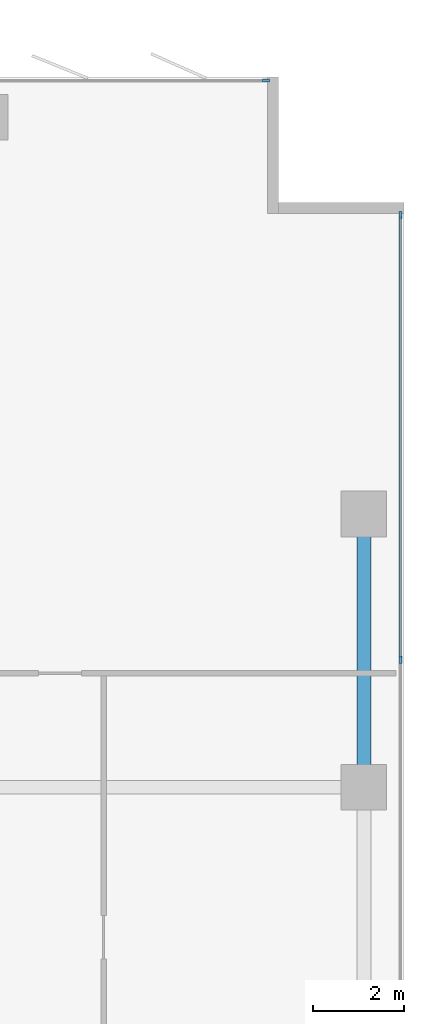
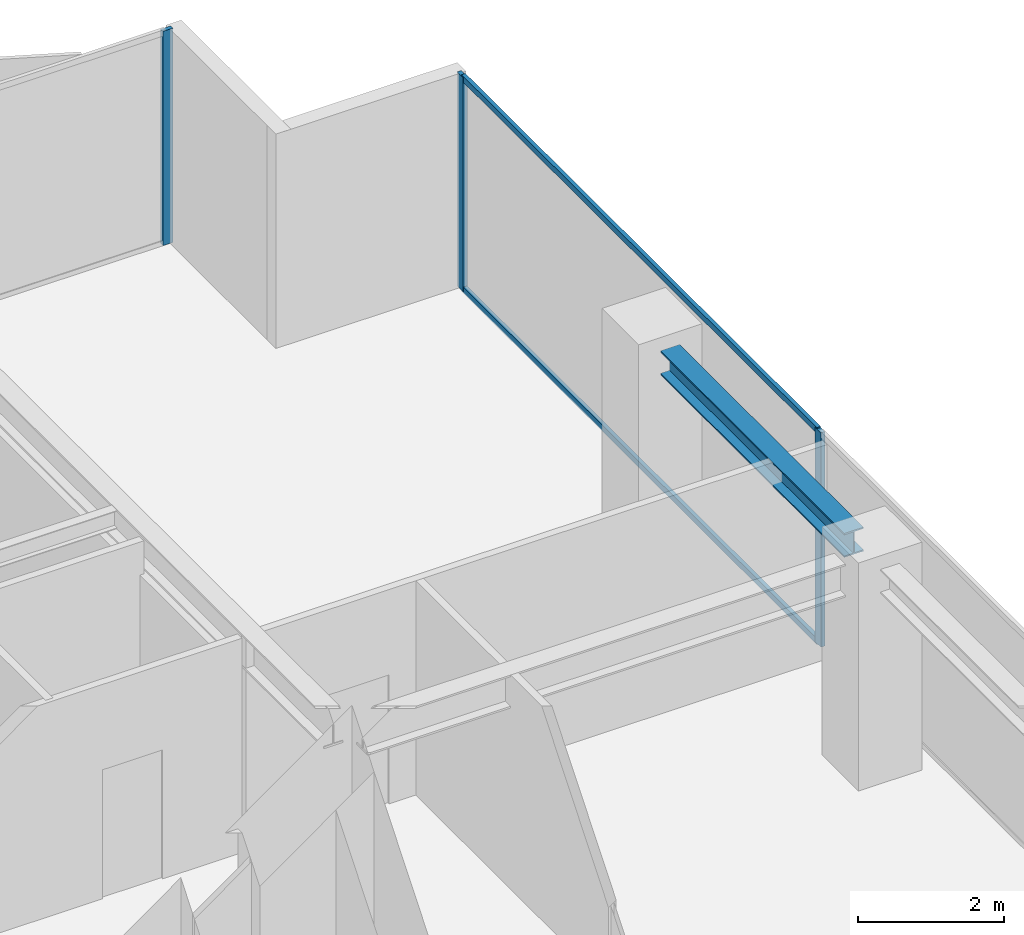
# One storey, part 13 of 22: 5 members, 1 beam, 2 elements without a shape of their own.
"""IFC4 building model written with IfcOpenShell, lengths in metres."""

from ifc_helpers import new_model, si_unit, direction, frame, origin, origin_2d, place, context, subcontext, project, spatial, rectangle, i_section, extrude, material, layer, layer_set, material_profile, profile_set, type_object, element, aggregate, save


model = new_model("IFC4")

# Units and contexts
model_context = context("Model", 3, precision=1e-05, world=origin(), true_north=direction((0.0, 1.0)))
body_context = subcontext(model_context, "Body", "Model", "MODEL_VIEW")
ifc_project = project(units=[si_unit("LENGTHUNIT", "METRE"), si_unit("AREAUNIT", "SQUARE_METRE"), si_unit("VOLUMEUNIT", "CUBIC_METRE"), si_unit("PLANEANGLEUNIT", "RADIAN"), si_unit("MASSUNIT", "GRAM", prefix="KILO")], contexts=[model_context])

# Site, building, storey
site_placement = place(None, origin())
site = spatial("IfcSite", under=ifc_project, at=site_placement, CompositionType="ELEMENT")
building_placement = place(site_placement, origin())
building = spatial("IfcBuilding", under=site, at=building_placement, Name="Putna Gate Headquarters", CompositionType="ELEMENT")
storey_placement = place(building_placement, frame((0.0, 0.0, 167.0)))
storey = spatial("IfcBuildingStorey", under=building, at=storey_placement, Name="L41", CompositionType="ELEMENT", Elevation=167.0)

# Beam
ifc_material_1 = material(Name="Steel S355J2", Category="steel")
ifc_material_profile_1 = material_profile(ifc_material_1, i_section(OverallWidth=0.300048828125, OverallDepth=0.39990234375, WebThickness=0.013427734375, FlangeThickness=0.02392578125, at=origin_2d()), Name="Steel S355J2")
ifc_profile_set_1 = profile_set([ifc_material_profile_1], Name="Steel S355J2")
beam_type = type_object("IfcBeamType", Name="BM-SPAN-Z3-HEB400", PredefinedType="SPANDREL", material=ifc_profile_set_1)
beam_placement = place(storey_placement, frame((73.320068359375, 33.488037109375, 3.3720703125), z_axis=(0.0, 1.0, 0.0), x_axis=(-1.0, 0.0, 0.0)))
element("IfcBeam", 1, at=beam_placement, inside=storey, type_object=beam_type, Name="L41 E End Spandrel 3", PredefinedType="SPANDREL", context=body_context, shape_type="SweptSolid", body=[
    extrude(i_section(OverallWidth=0.300048828125, OverallDepth=0.39990234375, WebThickness=0.013427734375, FlangeThickness=0.02392578125, at=origin_2d()), origin(), (0.0, 0.0, 1.0), 5.02392578125),
])

# Curtain wall, member
ifc_material_2 = material(Name="Anodised bronze aluminium curtain wall", Category="aluminium")
ifc_layer = layer(ifc_material_2, 0.159912109375)
ifc_layer_set = layer_set([ifc_layer], Name="Anodised bronze aluminium curtain wall")
curtain_wall_type = type_object("IfcCurtainWallType", Name="CW-SYS-Z3", PredefinedType="USERDEFINED", material=ifc_layer_set)
curtain_wall_1_placement = place(storey_placement, origin())
curtain_wall_1 = element("IfcCurtainWall", 2, at=curtain_wall_1_placement, inside=storey, type_object=curtain_wall_type, Name="L41 North East Curtain Wall", ObjectType="STICK CURTAIN WALL", PredefinedType="USERDEFINED")
ifc_material_3 = material(Name="Anodised bronze aluminium EN AW-6060", Category="aluminium")
ifc_material_profile_2 = material_profile(ifc_material_3, rectangle(XDim=0.06494140625, YDim=0.159912109375, at=origin_2d()), Name="Anodised bronze aluminium EN AW-6060")
ifc_profile_set_2 = profile_set([ifc_material_profile_2], Name="Anodised bronze aluminium EN AW-6060")
member_type_1 = type_object("IfcMemberType", Name="MULL-CWM-3", PredefinedType="MULLION", material=ifc_profile_set_2)
member_1_placement = place(storey_placement, frame((71.16748046875, 48.52001953125, 0.0), z_axis=(0.0, 0.0, 1.0), x_axis=(0.0, 1.0, 0.0)))
member_1 = element("IfcMember", 3, at=member_1_placement, type_object=member_type_1, Name="CWS-3 mullion 3", PredefinedType="MULLION", context=body_context, shape_type="SweptSolid", body=[
    extrude(rectangle(XDim=0.06494140625, YDim=0.159912109375, at=origin_2d()), origin(), (0.0, 0.0, 1.0), 3.572021484375),
])
aggregate(curtain_wall_1, [member_1])

# Curtain wall, members
curtain_wall_2_placement = place(storey_placement, origin())
curtain_wall_2 = element("IfcCurtainWall", 4, at=curtain_wall_2_placement, inside=storey, type_object=curtain_wall_type, Name="L41 East Curtain Wall", ObjectType="STICK CURTAIN WALL", PredefinedType="USERDEFINED")
member_2_placement = place(storey_placement, frame((74.1201171875, 35.800048828125, 0.0), z_axis=(0.0, 0.0, 1.0), x_axis=(-1.0, 0.0, 0.0)))
member_2 = element("IfcMember", 5, at=member_2_placement, type_object=member_type_1, Name="CWS-3 mullion 4", PredefinedType="MULLION", context=body_context, shape_type="SweptSolid", body=[
    extrude(rectangle(XDim=0.06494140625, YDim=0.159912109375, at=origin_2d()), origin(), (0.0, 0.0, 1.0), 3.572021484375),
])
member_3_placement = place(storey_placement, frame((74.1201171875, 45.5673828125, 0.0), z_axis=(0.0, 0.0, 1.0), x_axis=(-1.0, 0.0, 0.0)))
member_3 = element("IfcMember", 6, at=member_3_placement, type_object=member_type_1, Name="CWS-3 mullion 5", PredefinedType="MULLION", context=body_context, shape_type="SweptSolid", body=[
    extrude(rectangle(XDim=0.06494140625, YDim=0.159912109375, at=origin_2d()), origin(), (0.0, 0.0, 1.0), 3.572021484375),
])
ifc_material_profile_3 = material_profile(ifc_material_3, rectangle(XDim=0.06005859375, YDim=0.10009765625, at=origin_2d()), Name="Anodised bronze aluminium EN AW-6060")
ifc_profile_set_3 = profile_set([ifc_material_profile_3], Name="Anodised bronze aluminium EN AW-6060")
member_type_2 = type_object("IfcMemberType", Name="TRAN-CWT-3", PredefinedType="USERDEFINED", material=ifc_profile_set_3)
member_4_placement = place(storey_placement, frame((74.1201171875, 35.83251953125, 0.030029296875), z_axis=(0.0, 1.0, 0.0), x_axis=(-1.0, 0.0, 0.0)))
member_4 = element("IfcMember", 7, at=member_4_placement, type_object=member_type_2, Name="CWS-3 transom 4.1", ObjectType="TRANSOM", PredefinedType="USERDEFINED", context=body_context, shape_type="SweptSolid", body=[
    extrude(rectangle(XDim=0.06005859375, YDim=0.10009765625, at=origin_2d()), origin(), (0.0, 0.0, 1.0), 9.702392578125),
])
member_5_placement = place(storey_placement, frame((74.1201171875, 35.83251953125, 3.5419921875), z_axis=(0.0, 1.0, 0.0), x_axis=(-1.0, 0.0, 0.0)))
member_5 = element("IfcMember", 8, at=member_5_placement, type_object=member_type_2, Name="CWS-3 transom 4.2", ObjectType="TRANSOM", PredefinedType="USERDEFINED", context=body_context, shape_type="SweptSolid", body=[
    extrude(rectangle(XDim=0.06005859375, YDim=0.10009765625, at=origin_2d()), origin(), (0.0, 0.0, 1.0), 9.702392578125),
])
aggregate(curtain_wall_2, [member_2, member_3, member_4, member_5])

save(model, "model.ifc")
